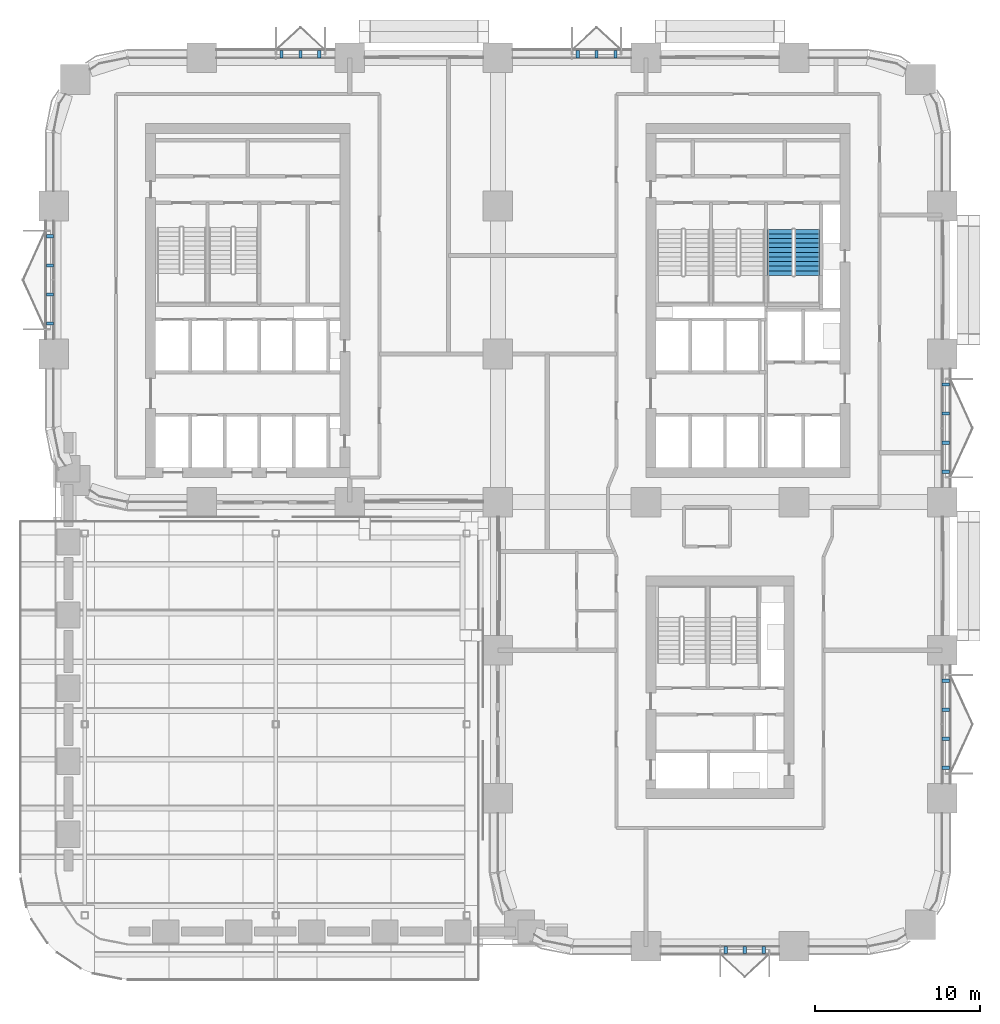
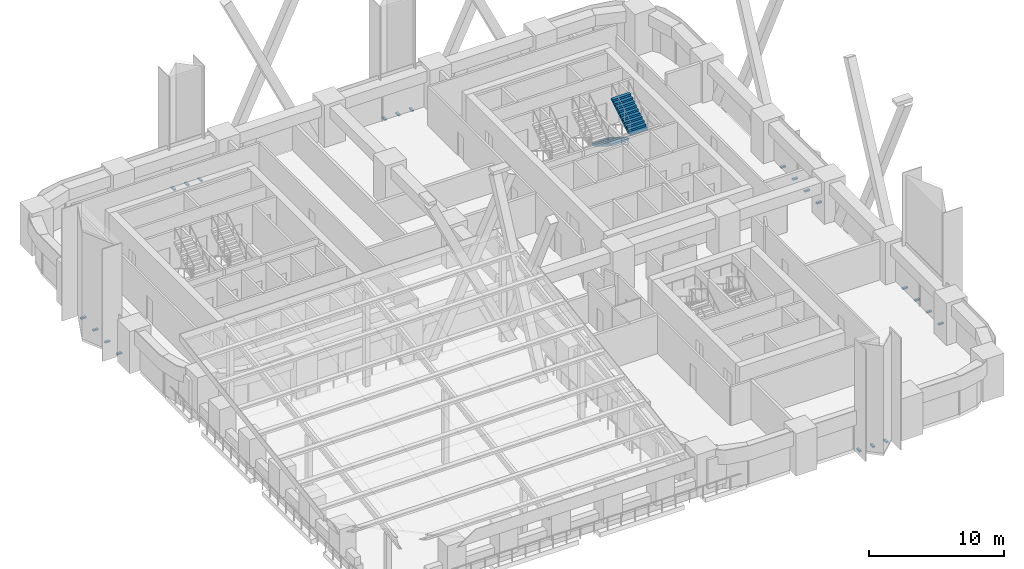
# One storey, part 18 of 22: 21 discrete accessories, 2 stair flights, 1 element without a shape of its own.
"""IFC4 building model written with IfcOpenShell, lengths in metres."""

import ifcopenshell
import ifcopenshell.guid

model = None  # the IFC model being written
_history = None  # IfcOwnerHistory: only IFC2X3 demands one
_inside = {}  # id of a spatial element -> (the spatial element, [elements in it])
_under = {}  # id of a project, library or spatial element -> (it, [spatial elements below it])
_declared = {}  # id of a project -> (the project, [libraries it declares])
_typed = {}  # id of a type object -> (the type object, [elements of that type])
_made_of = {}  # id of a material, layer set ... -> (it, [elements and type objects made of it])


def new_model(schema):
    """Start an empty IFC model of exactly this schema.

    Asked for "IFC4X3", IfcOpenShell would pick the latest addendum, in which some entities
    have other attributes; the version numbers below select the first issue.
    IFC2X3 requires an IfcOwnerHistory on every rooted entity: one is made here for all.
    """
    global model, _history
    if schema == "IFC4X3":
        model = ifcopenshell.file(schema_version=(4, 3, 0, 0))
    else:
        model = ifcopenshell.file(schema=schema)
    _inside.clear()
    _under.clear()
    _declared.clear()
    _typed.clear()
    _made_of.clear()
    _history = None
    if model.schema == "IFC2X3":
        org = make("IfcOrganization", Name="unknown")
        user = make(
            "IfcPersonAndOrganization",
            ThePerson=make("IfcPerson", FamilyName="unknown"),
            TheOrganization=org,
        )
        app = make(
            "IfcApplication",
            ApplicationDeveloper=org,
            Version="unknown",
            ApplicationFullName="unknown",
            ApplicationIdentifier="unknown",
        )
        _history = make(
            "IfcOwnerHistory",
            OwningUser=user,
            OwningApplication=app,
            ChangeAction="ADDED",
            CreationDate=0,
        )
    return model


def make(cls, **values):
    """One entity of the class cls with the attributes given. An attribute that is None is left unset."""
    return model.create_entity(
        cls, **{name: value for name, value in values.items() if value is not None}
    )


def rooted(cls, **values):
    """An entity with a GlobalId (a new one), such as an element, a storey or a relation."""
    return make(cls, GlobalId=ifcopenshell.guid.new(), OwnerHistory=_history, **values)


def si_unit(unit_type, name, prefix=None):
    """IfcSIUnit, for example si_unit("LENGTHUNIT", "METRE", prefix="MILLI")."""
    return make("IfcSIUnit", UnitType=unit_type, Prefix=prefix, Name=name)


def assignment(units):
    """IfcUnitAssignment: the units of a project."""
    return None if units is None else make("IfcUnitAssignment", Units=units)


def point(xyz):
    """IfcCartesianPoint."""
    return None if xyz is None else make("IfcCartesianPoint", Coordinates=xyz)


def direction(xyz):
    """IfcDirection."""
    return None if xyz is None else make("IfcDirection", DirectionRatios=xyz)


def frame(location, z_axis=None, x_axis=None):
    """IfcAxis2Placement3D, a coordinate frame: its origin and axes. An axis left out is left unset."""
    return make(
        "IfcAxis2Placement3D",
        Location=point(location),
        Axis=direction(z_axis),
        RefDirection=direction(x_axis),
    )


def frame_2d(location, x_axis=None):
    """IfcAxis2Placement2D, a coordinate frame in the plane: its origin and x axis."""
    return make(
        "IfcAxis2Placement2D", Location=point(location), RefDirection=direction(x_axis)
    )


def origin():
    """The frame at (0, 0, 0) with its axes left unset."""
    return frame((0.0, 0.0, 0.0))


def origin_2d():
    """The frame at (0, 0) in the plane with its x axis left unset."""
    return frame_2d((0.0, 0.0))


def place(relative_to, where):
    """IfcLocalPlacement: puts the frame where relative to a parent placement (None: the world)."""
    return make(
        "IfcLocalPlacement", PlacementRelTo=relative_to, RelativePlacement=where
    )


def context(
    kind, dimensions, precision=None, world=None, true_north=None, identifier=None
):
    """IfcGeometricRepresentationContext, for example the 3D "Model" context."""
    return make(
        "IfcGeometricRepresentationContext",
        ContextIdentifier=identifier,
        ContextType=kind,
        CoordinateSpaceDimension=dimensions,
        Precision=precision,
        WorldCoordinateSystem=world,
        TrueNorth=true_north,
    )


def subcontext(parent, identifier, kind, view, scale=None):
    """IfcGeometricRepresentationSubContext, for example "Body" below "Model"."""
    return make(
        "IfcGeometricRepresentationSubContext",
        ContextIdentifier=identifier,
        ContextType=kind,
        ParentContext=parent,
        TargetScale=scale,
        TargetView=view,
    )


def project(units=None, contexts=None):
    """IfcProject with its units and contexts."""
    return rooted(
        "IfcProject",
        Name="project",
        RepresentationContexts=contexts,
        UnitsInContext=assignment(units),
    )


def spatial(cls, under=None, at=None, **own):
    """A site, building, storey or space (cls), placed at a placement, below another one or the project."""
    s = rooted(cls, ObjectPlacement=at, **own)
    if under is not None:
        _under.setdefault(under.id(), (under, []))[1].append(s)
    return s


def polyline(points):
    """IfcPolyline through the points."""
    return make("IfcPolyline", Points=[point(p) for p in points])


def profile(cls, at=None, kind="AREA", **sizes):
    """A parametric profile (cls). Its sizes go by their IFC names, for example OverallWidth=200.0."""
    return make(cls, ProfileType=kind, Position=at, **sizes)


def rectangle(**sizes):
    """IfcRectangleProfileDef."""
    return profile("IfcRectangleProfileDef", **sizes)


def outline(outer, holes=None, kind="AREA"):
    """IfcArbitraryClosedProfileDef: a profile drawn as a closed curve; with holes, ...WithVoids."""
    if holes is None:
        return make("IfcArbitraryClosedProfileDef", ProfileType=kind, OuterCurve=outer)
    return make(
        "IfcArbitraryProfileDefWithVoids",
        ProfileType=kind,
        OuterCurve=outer,
        InnerCurves=holes,
    )


def extrude(swept, where, along, depth):
    """IfcExtrudedAreaSolid: the profile swept, set in the frame where, extruded along a direction by depth."""
    return make(
        "IfcExtrudedAreaSolid",
        SweptArea=swept,
        Position=where,
        ExtrudedDirection=direction(along),
        Depth=depth,
    )


def shape(context_of_items, identifier, shape_type, items):
    """IfcShapeRepresentation: the items that make up one representation, for example the "Body"."""
    return make(
        "IfcShapeRepresentation",
        ContextOfItems=context_of_items,
        RepresentationIdentifier=identifier,
        RepresentationType=shape_type,
        Items=items,
    )


def material(Name=None, Category=None):
    """IfcMaterial."""
    return make("IfcMaterial", Name=Name, Category=Category)


def made_of(thing, what):
    """Note that an element or type object is made of a material, layer set ...; save() writes the relation."""
    if what is not None:
        _made_of.setdefault(what.id(), (what, []))[1].append(thing)
    return thing


def type_object(cls, material=None, **own):
    """A type object (cls), such as IfcWallType, which elements share."""
    return made_of(rooted(cls, **own), material)


def element(
    cls,
    number,
    at=None,
    inside=None,
    cuts=None,
    type_object=None,
    material=None,
    context=None,
    identifier="Body",
    shape_type=None,
    held_by="IfcProductDefinitionShape",
    body=None,
    shapes=None,
    **own,
):
    """One element of the class cls, such as IfcWall. Its Tag is "e" and its number.

    at: its placement. inside: the storey or other place that contains it. cuts: it is an
    opening in that element (IfcRelVoidsElement). A single representation is given by context,
    identifier, shape_type and body (its items); several are given by shapes. held_by: the class
    of the entity that holds the representations. save() writes the other relations.
    """
    e = rooted(cls, Tag="e%d" % number, ObjectPlacement=at, **own)
    if body is not None:
        shapes = [shape(context, identifier, shape_type, body)]
    if shapes is not None:
        e.Representation = make(held_by, Representations=shapes)
    if inside is not None:
        _inside.setdefault(inside.id(), (inside, []))[1].append(e)
    if cuts is not None:
        rooted(
            "IfcRelVoidsElement", RelatingBuildingElement=cuts, RelatedOpeningElement=e
        )
    if type_object is not None:
        _typed.setdefault(type_object.id(), (type_object, []))[1].append(e)
    return made_of(e, material)


def aggregate(whole, parts):
    """IfcRelAggregates: a whole, such as a stair, and the parts it consists of."""
    return rooted("IfcRelAggregates", RelatingObject=whole, RelatedObjects=parts)


def save(model, path):
    """Write the relations noted so far, then the file.

    IfcRelAggregates (storeys below a building ...), IfcRelContainedInSpatialStructure (elements
    in a storey), IfcRelDefinesByType, IfcRelAssociatesMaterial and IfcRelDeclares: one each for
    every whole, place, type object, material and project.
    """
    for whole, parts in _under.values():
        aggregate(whole, parts)
    for where, things in _inside.values():
        rooted(
            "IfcRelContainedInSpatialStructure",
            RelatedElements=things,
            RelatingStructure=where,
        )
    for kind, things in _typed.values():
        rooted("IfcRelDefinesByType", RelatedObjects=things, RelatingType=kind)
    for what, things in _made_of.values():
        rooted("IfcRelAssociatesMaterial", RelatedObjects=things, RelatingMaterial=what)
    for by, libraries in _declared.values():
        rooted("IfcRelDeclares", RelatingContext=by, RelatedDefinitions=libraries)
    model.write(path)


model = new_model("IFC4")

# Units and contexts
model_context = context("Model", 3, precision=1e-05, world=origin(), true_north=direction((0.0, 1.0)))
body_context = subcontext(model_context, "Body", "Model", "MODEL_VIEW")
ifc_project = project(units=[si_unit("LENGTHUNIT", "METRE"), si_unit("AREAUNIT", "SQUARE_METRE"), si_unit("VOLUMEUNIT", "CUBIC_METRE"), si_unit("PLANEANGLEUNIT", "RADIAN"), si_unit("MASSUNIT", "GRAM", prefix="KILO")], contexts=[model_context])

# Site, building, storey
site_placement = place(None, origin())
site = spatial("IfcSite", under=ifc_project, at=site_placement, CompositionType="ELEMENT")
building_placement = place(site_placement, origin())
building = spatial("IfcBuilding", under=site, at=building_placement, Name="Tessera Arch", CompositionType="ELEMENT")
storey_placement = place(building_placement, frame((0.0, 0.0, 77.800048828125)))
storey = spatial("IfcBuildingStorey", under=building, at=storey_placement, Name="L17", CompositionType="ELEMENT", Elevation=77.800048828125)

# Stair, stair flights
ifc_material_1 = material(Name="Concrete C40/50", Category="concrete")
stair_type = type_object("IfcStairType", Name="Dogleg stair 1520", PredefinedType="HALF_TURN_STAIR", material=ifc_material_1)
stair_placement = place(storey_placement, origin())
stair = element("IfcStair", 1, at=stair_placement, inside=storey, type_object=stair_type, Name="L17 S1c", PredefinedType="HALF_TURN_STAIR")
ifc_material_2 = material(Name="Concrete C40/50", Category="concrete")
stair_flight_type = type_object("IfcStairFlightType", Name="Stair flight 1520", PredefinedType="STRAIGHT", material=ifc_material_2)
stair_flight_1_placement = place(storey_placement, frame((44.159912109375, 43.580078125, 0.0), z_axis=(0.0, 0.0, 1.0), x_axis=(0.0, -1.0, 0.0)))
stair_flight_1 = element("IfcStairFlight", 2, at=stair_flight_1_placement, type_object=stair_flight_type, Name="S1c flight 1", NumberOfRisers=11, NumberOfTreads=10, PredefinedType="STRAIGHT", RiserHeight=0.172727273, TreadLength=0.28, context=body_context, shape_type="SweptSolid", body=[
    extrude(outline(polyline([(0.0, 0.0), (0.0, 0.172607421875), (0.280029296875, 0.172607421875), (0.280029296875, 0.345458984375), (0.56005859375, 0.345458984375), (0.56005859375, 0.51806640625), (0.840087890625, 0.51806640625), (0.840087890625, 0.69091796875), (1.1201171875, 0.69091796875), (1.1201171875, 0.863525390625), (1.39990234375, 0.863525390625), (1.39990234375, 1.036376953125), (1.679931640625, 1.036376953125), (1.679931640625, 1.208984375), (1.9599609375, 1.208984375), (1.9599609375, 1.3818359375), (2.239990234375, 1.3818359375), (2.239990234375, 1.554443359375), (2.52001953125, 1.554443359375), (2.52001953125, 1.727294921875), (2.800048828125, 1.727294921875), (2.800048828125, 1.89990234375), (2.800048828125, 1.551025390625), (0.285400390625, 0.0), (0.0, 0.0)])), frame((0.0, 0.760009765625, 0.0), z_axis=(0.0, -1.0, 0.0), x_axis=(1.0, 0.0, 0.0)), (0.0, 0.0, 1.0), 1.52001953125),
])
stair_flight_2_placement = place(storey_placement, frame((45.7900390625, 40.780029296875, 1.89990234375), z_axis=(0.0, 0.0, 1.0), x_axis=(0.0, 1.0, 0.0)))
stair_flight_2 = element("IfcStairFlight", 3, at=stair_flight_2_placement, type_object=stair_flight_type, Name="S1c flight 2", NumberOfRisers=11, NumberOfTreads=10, PredefinedType="STRAIGHT", RiserHeight=0.172727273, TreadLength=0.28, context=body_context, shape_type="SweptSolid", body=[
    extrude(outline(polyline([(0.0, 0.0), (0.0, 0.172607421875), (0.280029296875, 0.172607421875), (0.280029296875, 0.345458984375), (0.56005859375, 0.345458984375), (0.56005859375, 0.51806640625), (0.840087890625, 0.51806640625), (0.840087890625, 0.69091796875), (1.1201171875, 0.69091796875), (1.1201171875, 0.863525390625), (1.39990234375, 0.863525390625), (1.39990234375, 1.036376953125), (1.679931640625, 1.036376953125), (1.679931640625, 1.208984375), (1.9599609375, 1.208984375), (1.9599609375, 1.3818359375), (2.239990234375, 1.3818359375), (2.239990234375, 1.554443359375), (2.52001953125, 1.554443359375), (2.52001953125, 1.727294921875), (2.800048828125, 1.727294921875), (2.800048828125, 1.89990234375), (2.800048828125, 1.551025390625), (0.285400390625, 0.0), (0.0, 0.0)])), frame((0.0, 0.760009765625, 0.0), z_axis=(0.0, -1.0, 0.0), x_axis=(1.0, 0.0, 0.0)), (0.0, 0.0, 1.0), 1.52001953125),
])
aggregate(stair, [stair_flight_1, stair_flight_2])

# Discrete accessories
for number, where, z_axis, x_axis, name in (
    (4, (54.219970703125, 10.85009765625, -0.1201171875), (0.0, 0.0, 1.0), (1.0, 0.0, 0.0), "Window box bracket"),
    (5, (54.219970703125, 12.61669921875, -0.1201171875), (0.0, 0.0, 1.0), (1.0, 0.0, 0.0), "Window box bracket"),
    (6, (54.219970703125, 14.38330078125, -0.1201171875), (0.0, 0.0, 1.0), (1.0, 0.0, 0.0), "Window box bracket"),
    (7, (54.219970703125, 16.14990234375, -0.1201171875), (0.0, 0.0, 1.0), (1.0, 0.0, 0.0), "Window box bracket"),
    (8, (16.14990234375, 54.219970703125, -0.1201171875), (0.0, 0.0, 1.0), (0.0, 1.0, 0.0), "Window box bracket"),
    (9, (15.0, 54.219970703125, -0.1201171875), (0.0, 0.0, 1.0), (0.0, 1.0, 0.0), "Window box bracket"),
    (10, (13.85009765625, 54.219970703125, -0.1201171875), (0.0, 0.0, 1.0), (0.0, 1.0, 0.0), "Window box bracket"),
    (11, (-0.219970703125, 43.14990234375, -0.1201171875), (0.0, 0.0, 1.0), (-1.0, 0.0, 0.0), "Window box bracket"),
    (12, (-0.219970703125, 41.38330078125, -0.1201171875), (0.0, 0.0, 1.0), (-1.0, 0.0, 0.0), "Window box bracket"),
    (13, (-0.219970703125, 39.61669921875, -0.1201171875), (0.0, 0.0, 1.0), (-1.0, 0.0, 0.0), "Window box bracket"),
    (14, (-0.219970703125, 37.85009765625, -0.1201171875), (0.0, 0.0, 1.0), (-1.0, 0.0, 0.0), "Window box bracket"),
    (15, (34.14990234375, 54.219970703125, -0.1201171875), (0.0, 0.0, 1.0), (0.0, 1.0, 0.0), "Window box bracket"),
    (16, (33.0, 54.219970703125, -0.1201171875), (0.0, 0.0, 1.0), (0.0, 1.0, 0.0), "Window box bracket"),
    (17, (31.85009765625, 54.219970703125, -0.1201171875), (0.0, 0.0, 1.0), (0.0, 1.0, 0.0), "Window box bracket"),
    (18, (54.219970703125, 28.85009765625, -0.1201171875), (0.0, 0.0, 1.0), (1.0, 0.0, 0.0), "Window box bracket"),
    (19, (54.219970703125, 30.61669921875, -0.1201171875), (0.0, 0.0, 1.0), (1.0, 0.0, 0.0), "Window box bracket"),
    (20, (54.219970703125, 32.38330078125, -0.1201171875), (0.0, 0.0, 1.0), (1.0, 0.0, 0.0), "Window box bracket"),
    (21, (54.219970703125, 34.14990234375, -0.1201171875), (0.0, 0.0, 1.0), (1.0, 0.0, 0.0), "Window box bracket"),
    (22, (40.85009765625, -0.219970703125, -0.1201171875), (0.0, 0.0, 1.0), (0.0, -1.0, 0.0), "Window box bracket"),
    (23, (42.0, -0.219970703125, -0.1201171875), (0.0, 0.0, 1.0), (0.0, -1.0, 0.0), "Window box bracket"),
    (24, (43.14990234375, -0.219970703125, -0.1201171875), (0.0, 0.0, 1.0), (0.0, -1.0, 0.0), "Window box bracket"),
):
    element("IfcDiscreteAccessory", number, at=place(storey_placement, frame(where, z_axis=z_axis, x_axis=x_axis)), inside=storey, Name=name, PredefinedType="BRACKET", context=body_context, shape_type="SweptSolid", body=[
        extrude(rectangle(XDim=0.43994140625, YDim=0.199951171875, at=origin_2d()), origin(), (0.0, 0.0, 1.0), 0.1201171875),
    ])

save(model, "model.ifc")
